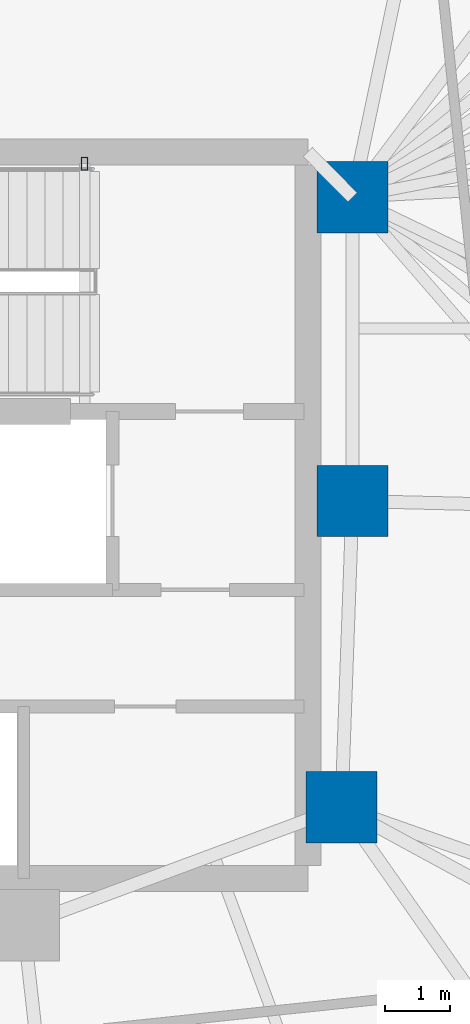
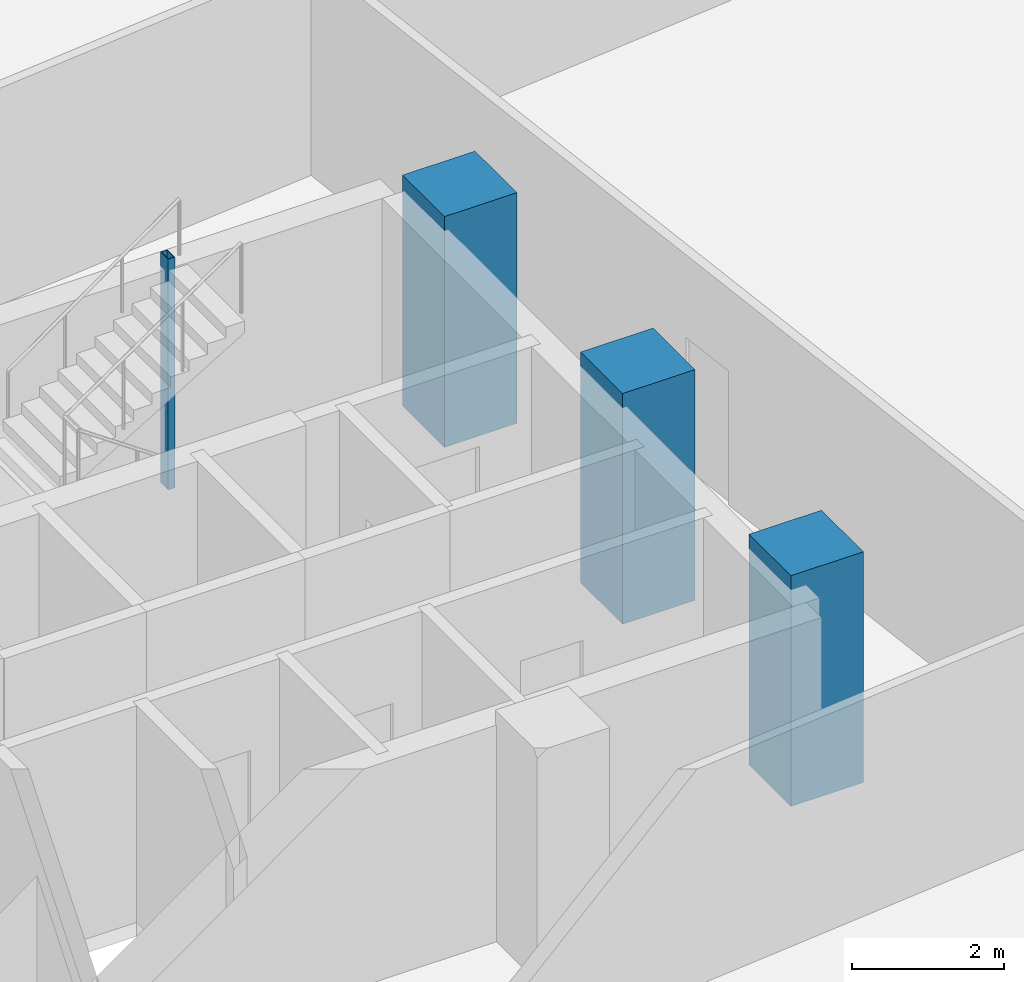
# One storey, part 4 of 17: 4 columns.
"""IFC4 building model written with IfcOpenShell, lengths in metres."""

from ifc_helpers import new_model, si_unit, direction, frame, origin, origin_2d, place, context, subcontext, project, spatial, rectangle, hollow_rectangle, extrude, material, material_profile, profile_set, type_object, element, save


model = new_model("IFC4")

# Units and contexts
model_context = context("Model", 3, precision=1e-05, world=origin(), true_north=direction((0.0, 1.0)))
body_context = subcontext(model_context, "Body", "Model", "MODEL_VIEW")
ifc_project = project(units=[si_unit("LENGTHUNIT", "METRE"), si_unit("AREAUNIT", "SQUARE_METRE"), si_unit("VOLUMEUNIT", "CUBIC_METRE"), si_unit("PLANEANGLEUNIT", "RADIAN"), si_unit("MASSUNIT", "GRAM", prefix="KILO")], contexts=[model_context])

# Site, building, storey
site_placement = place(None, origin())
site = spatial("IfcSite", under=ifc_project, at=site_placement, CompositionType="ELEMENT")
building_placement = place(site_placement, origin())
building = spatial("IfcBuilding", under=site, at=building_placement, Name="Menara Jurai Vektor", CompositionType="ELEMENT")
storey_placement = place(building_placement, frame((0.0, 0.0, 109.60009765625)))
storey = spatial("IfcBuildingStorey", under=building, at=storey_placement, Name="L27", CompositionType="ELEMENT", Elevation=109.60009765625)

# Columns
ifc_material_1 = material(Name="Concrete C50/60", Category="concrete")
ifc_material_profile_1 = material_profile(ifc_material_1, rectangle(XDim=1.10009765625, YDim=1.10009765625, at=origin_2d()), Name="RC 1100x1100")
ifc_profile_set_1 = profile_set([ifc_material_profile_1], Name="Concrete C50/60")
column_type_1 = type_object("IfcColumnType", Name="STR-COL-RC1100", PredefinedType="COLUMN", material=ifc_profile_set_1)
for number, where, z_axis, x_axis, name in (
    (1, (15.25, 4.89990234375, 0.0), (0.0, 0.0, 1.0), (1.0, 0.0, 0.0), "Core Spine Column CE-NE L27"),
    (2, (15.25, 0.219970703125, 0.0), (0.0, 0.0, 1.0), (1.0, 0.0, 0.0), "Core Spine Column CE-EM L27"),
    (3, (15.080078125, -4.5, 0.0), (0.0, 0.0, 1.0), (1.0, 0.0, 0.0), "Core Spine Column CE-SE L27"),
):
    element("IfcColumn", number, at=place(storey_placement, frame(where, z_axis=z_axis, x_axis=x_axis)), inside=storey, type_object=column_type_1, Name=name, PredefinedType="COLUMN", context=body_context, shape_type="SweptSolid", body=[
        extrude(rectangle(XDim=1.10009765625, YDim=1.10009765625, at=origin_2d()), origin(), (0.0, 0.0, 1.0), 3.699951171875),
    ])
ifc_material_2 = material(Name="Steel S355", Category="steel")
ifc_material_profile_2 = material_profile(ifc_material_2, hollow_rectangle(XDim=0.10009765625, YDim=0.199951171875, WallThickness=0.008056640625, at=origin_2d()), Name="RHS 200x100x8")
ifc_profile_set_2 = profile_set([ifc_material_profile_2], Name="Steel S355")
column_type_2 = type_object("IfcColumnType", Name="STR-COL-STAIR", PredefinedType="COLUMN", material=ifc_profile_set_2)
column_placement = place(storey_placement, frame((11.1201171875, 5.419921875, 0.0), z_axis=(0.0, 0.0, 1.0), x_axis=(1.0, 0.0, 0.0)))
element("IfcColumn", 4, at=column_placement, inside=storey, type_object=column_type_2, Name="Stair Well Header Column ST2-P2 L27", PredefinedType="COLUMN", context=body_context, shape_type="SweptSolid", body=[
    extrude(hollow_rectangle(XDim=0.10009765625, YDim=0.199951171875, WallThickness=0.008056640625, at=origin_2d()), origin(), (0.0, 0.0, 1.0), 3.699951171875),
])

save(model, "model.ifc")
